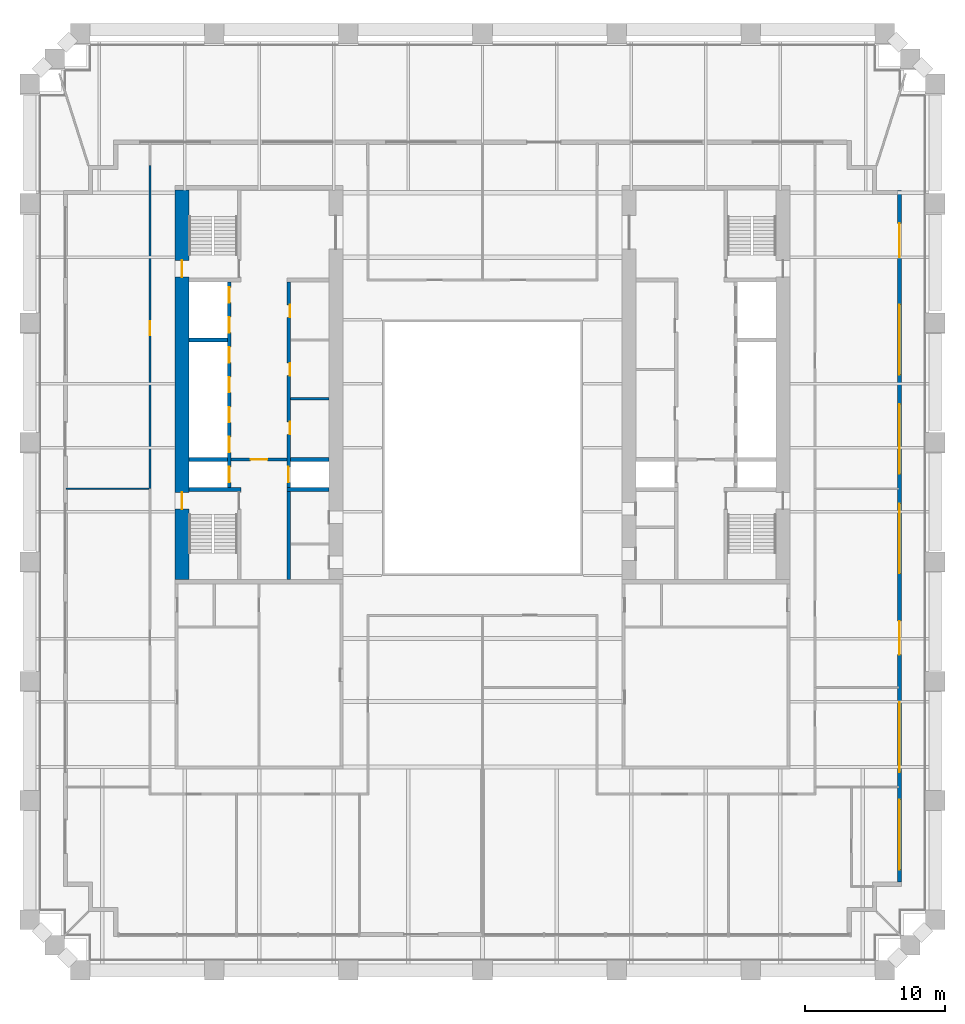
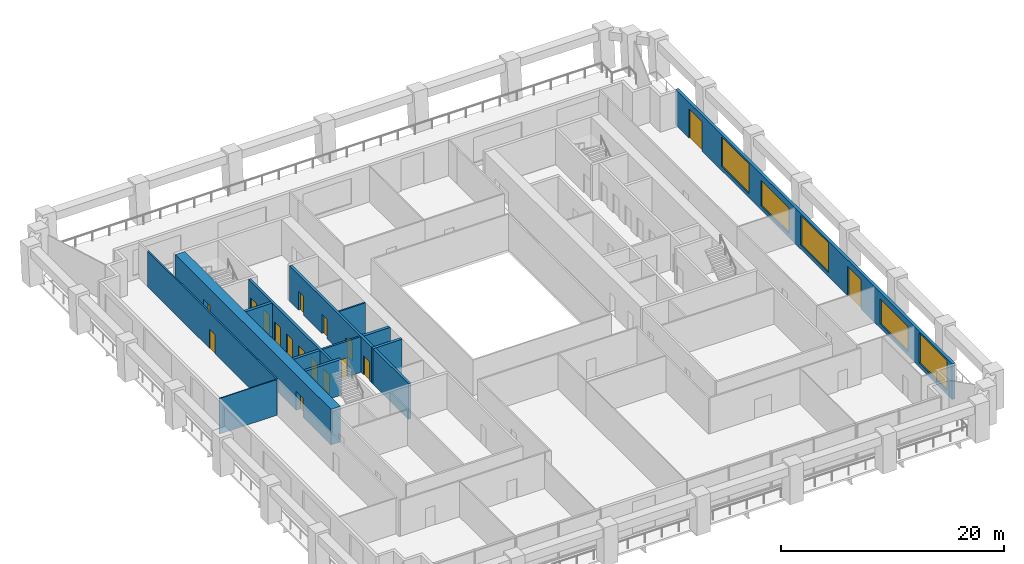
# One storey, part 7 of 11: 17 doors, 13 walls, 5 windows, 22 openings.
"""IFC4 building model written with IfcOpenShell, lengths in metres."""

from ifc_helpers import new_model, si_unit, direction, frame, frame_2d, origin, place, context, subcontext, project, spatial, rectangle, extrude, material, layer, layer_set, type_object, element, fill, save


model = new_model("IFC4")

# Units and contexts
model_context = context("Model", 3, precision=1e-05, world=origin(), true_north=direction((0.0, 1.0)))
body_context = subcontext(model_context, "Body", "Model", "MODEL_VIEW")
ifc_project = project(units=[si_unit("LENGTHUNIT", "METRE"), si_unit("AREAUNIT", "SQUARE_METRE"), si_unit("VOLUMEUNIT", "CUBIC_METRE"), si_unit("PLANEANGLEUNIT", "RADIAN"), si_unit("MASSUNIT", "GRAM", prefix="KILO")], contexts=[model_context])

# Site, building, storey
site_placement = place(None, origin())
site = spatial("IfcSite", under=ifc_project, at=site_placement, CompositionType="ELEMENT")
building_placement = place(site_placement, origin())
building = spatial("IfcBuilding", under=site, at=building_placement, Name="Ogive Exchange Tower", CompositionType="ELEMENT")
storey_placement = place(building_placement, frame((0.0, 0.0, 90.0)))
storey = spatial("IfcBuildingStorey", under=building, at=storey_placement, Name="L19", CompositionType="ELEMENT", Elevation=90.0)

# Wall
ifc_material_1 = material(Name="Gypsum board partition")
ifc_layer_1 = layer(ifc_material_1, 0.14990234375)
ifc_layer_set_1 = layer_set([ifc_layer_1], Name="Core room partition 150 gypsum")
wall_type_1 = type_object("IfcWallType", Name="Core room partition 150 gypsum", PredefinedType="PARTITIONING", material=ifc_layer_set_1)
wall_1_placement = place(storey_placement, frame((-13.75, 10.5, 0.0), z_axis=(0.0, 0.0, 1.0), x_axis=(1.0, 0.0, 0.0)))
element("IfcWall", 1, at=wall_1_placement, inside=storey, type_object=wall_type_1, Name="W row B bay partition 1-1", PredefinedType="PARTITIONING", context=body_context, shape_type="SweptSolid", body=[
    extrude(rectangle(XDim=2.75, YDim=0.14990234375, at=frame_2d((1.375, 0.0))), origin(), (0.0, 0.0, 1.0), 3.89990234375),
])

# Wall, opening, door
ifc_material_2 = material(Name="Fire partition EI 60 150")
ifc_layer_2 = layer(ifc_material_2, 0.14990234375)
ifc_layer_set_2 = layer_set([ifc_layer_2], Name="Fire partition EI 60 150")
wall_type_2 = type_object("IfcWallType", Name="Fire partition EI 60 150", PredefinedType="PARTITIONING", material=ifc_layer_set_2)
wall_2_placement = place(storey_placement, frame((-23.800048828125, 4.06005859375, 0.0), z_axis=(0.0, 0.0, 1.0), x_axis=(0.0, 1.0, 0.0)))
wall_2 = element("IfcWall", 2, at=wall_2_placement, inside=storey, type_object=wall_type_2, Name="L19-PWL-005", PredefinedType="PARTITIONING", context=body_context, shape_type="SweptSolid", body=[
    extrude(rectangle(XDim=23.139892578125, YDim=0.14990234375, at=frame_2d((11.56982421875, 0.0))), origin(), (0.0, 0.0, 1.0), 3.89990234375),
])
opening_1_placement = place(wall_2_placement, frame((10.989990234375, 0.0, 0.0)))
opening_1 = element("IfcOpeningElement", 3, at=opening_1_placement, cuts=wall_2, Name="Opening L19-I11", PredefinedType="OPENING", context=body_context, shape_type="SweptSolid", body=[
    extrude(rectangle(XDim=1.0, YDim=2.10009765625, at=frame_2d((0.5, 1.050048828125))), frame((0.0, 0.0849609375, 0.0), z_axis=(0.0, -1.0, 0.0), x_axis=(1.0, 0.0, 0.0)), (0.0, 0.0, 1.0), 0.169921875),
])
ifc_material_3 = material(Name="Fire door FD 30S 1000 x 2100")
door_type_1 = type_object("IfcDoorType", Name="Fire door FD 30S 1000 x 2100", OperationType="NOTDEFINED", PredefinedType="DOOR", material=ifc_material_3)
door_1_placement = place(opening_1_placement, origin())
door_1 = element("IfcDoor", 4, at=door_1_placement, inside=storey, type_object=door_type_1, Name="L19-IDR-011", ObjectType="DT3", OperationType="SINGLE_SWING_RIGHT", OverallHeight=2.10009765625, OverallWidth=1.0, PredefinedType="DOOR", context=body_context, shape_type="SweptSolid", body=[
    extrude(rectangle(XDim=1.0, YDim=2.10009765625, at=frame_2d((0.5, 1.050048828125))), frame((0.0, 0.02490234375, 0.0), z_axis=(0.0, -1.0, 0.0), x_axis=(1.0, 0.0, 0.0)), (0.0, 0.0, 1.0), 0.050048828125),
])
fill(opening_1, door_1)

# Wall, openings, windows, doors
ifc_material_4 = material(Name="Precast concrete C40/50", Category="concrete")
ifc_layer_3 = layer(ifc_material_4, 0.300048828125)
ifc_layer_set_3 = layer_set([ifc_layer_3], Name="Limestone-faced wall 300")
wall_type_3 = type_object("IfcWallType", Name="Limestone-faced wall 300", PredefinedType="STANDARD", material=ifc_layer_set_3)
wall_3_placement = place(storey_placement, frame((29.85009765625, -24.10009765625, 0.0), z_axis=(0.0, 0.0, 1.0), x_axis=(0.0, 1.0, 0.0)))
wall_3 = element("IfcWall", 5, at=wall_3_placement, inside=storey, type_object=wall_type_3, Name="External wall E2", PredefinedType="STANDARD", context=body_context, shape_type="SweptSolid", body=[
    extrude(rectangle(XDim=49.5, YDim=0.300048828125, at=frame_2d((24.75, 0.0))), origin(), (0.0, 0.0, 1.0), 3.89990234375),
])
opening_2_placement = place(wall_3_placement, frame((0.906982421875, 0.0, 0.449951171875)))
opening_2 = element("IfcOpeningElement", 6, at=opening_2_placement, cuts=wall_3, Name="Opening W2", PredefinedType="OPENING", context=body_context, shape_type="SweptSolid", body=[
    extrude(rectangle(XDim=5.0, YDim=3.25, at=frame_2d((2.5, 1.625))), frame((0.0, 0.159912109375, 0.0), z_axis=(0.0, -1.0, 0.0), x_axis=(1.0, 0.0, 0.0)), (0.0, 0.0, 1.0), 0.320068359375),
])
opening_3_placement = place(wall_3_placement, frame((7.871337890625, 0.0, 0.449951171875)))
opening_3 = element("IfcOpeningElement", 7, at=opening_3_placement, cuts=wall_3, Name="Opening W2G", PredefinedType="OPENING", context=body_context, shape_type="SweptSolid", body=[
    extrude(rectangle(XDim=5.0, YDim=2.72509765625, at=frame_2d((2.5, 1.362548828125))), frame((0.0, 0.159912109375, 0.0), z_axis=(0.0, -1.0, 0.0), x_axis=(1.0, 0.0, 0.0)), (0.0, 0.0, 1.0), 0.320068359375),
])
opening_4_placement = place(wall_3_placement, frame((16.28564453125, 0.0, 0.0)))
opening_4 = element("IfcOpeningElement", 8, at=opening_4_placement, cuts=wall_3, Name="Opening D1G", PredefinedType="OPENING", context=body_context, shape_type="SweptSolid", body=[
    extrude(rectangle(XDim=2.39990234375, YDim=3.22509765625, at=frame_2d((1.199951171875, 1.612548828125))), frame((0.0, 0.159912109375, 0.0), z_axis=(0.0, -1.0, 0.0), x_axis=(1.0, 0.0, 0.0)), (0.0, 0.0, 1.0), 0.320068359375),
])
opening_5_placement = place(wall_3_placement, frame((22.10009765625, 0.0, 0.449951171875)))
opening_5 = element("IfcOpeningElement", 9, at=opening_5_placement, cuts=wall_3, Name="Opening W2", PredefinedType="OPENING", context=body_context, shape_type="SweptSolid", body=[
    extrude(rectangle(XDim=5.0, YDim=3.25, at=frame_2d((2.5, 1.625))), frame((0.0, 0.159912109375, 0.0), z_axis=(0.0, -1.0, 0.0), x_axis=(1.0, 0.0, 0.0)), (0.0, 0.0, 1.0), 0.320068359375),
])
opening_6_placement = place(wall_3_placement, frame((29.214111328125, 0.0, 0.449951171875)))
opening_6 = element("IfcOpeningElement", 10, at=opening_6_placement, cuts=wall_3, Name="Opening W2E", PredefinedType="OPENING", context=body_context, shape_type="SweptSolid", body=[
    extrude(rectangle(XDim=5.0, YDim=2.77490234375, at=frame_2d((2.5, 1.387451171875))), frame((0.0, 0.159912109375, 0.0), z_axis=(0.0, -1.0, 0.0), x_axis=(1.0, 0.0, 0.0)), (0.0, 0.0, 1.0), 0.320068359375),
])
opening_7_placement = place(wall_3_placement, frame((36.32861328125, 0.0, 0.449951171875)))
opening_7 = element("IfcOpeningElement", 11, at=opening_7_placement, cuts=wall_3, Name="Opening W2", PredefinedType="OPENING", context=body_context, shape_type="SweptSolid", body=[
    extrude(rectangle(XDim=5.0, YDim=3.25, at=frame_2d((2.5, 1.625))), frame((0.0, 0.159912109375, 0.0), z_axis=(0.0, -1.0, 0.0), x_axis=(1.0, 0.0, 0.0)), (0.0, 0.0, 1.0), 0.320068359375),
])
opening_8_placement = place(wall_3_placement, frame((44.742919921875, 0.0, 0.0)))
opening_8 = element("IfcOpeningElement", 12, at=opening_8_placement, cuts=wall_3, Name="Opening D1G", PredefinedType="OPENING", context=body_context, shape_type="SweptSolid", body=[
    extrude(rectangle(XDim=2.39990234375, YDim=3.22509765625, at=frame_2d((1.199951171875, 1.612548828125))), frame((0.0, 0.159912109375, 0.0), z_axis=(0.0, -1.0, 0.0), x_axis=(1.0, 0.0, 0.0)), (0.0, 0.0, 1.0), 0.320068359375),
])
ifc_material_5 = material(Name="Clear glass in bronze frame", Category="glass")
window_type_1 = type_object("IfcWindowType", Name="Executive lancet window 5000 x 2725", PartitioningType="DOUBLE_PANEL_VERTICAL", PredefinedType="WINDOW", material=ifc_material_5)
window_1_placement = place(opening_3_placement, origin())
window_1 = element("IfcWindow", 13, at=window_1_placement, inside=storey, type_object=window_type_1, Name="Window E01", OverallHeight=2.72509765625, OverallWidth=5.0, PartitioningType="DOUBLE_PANEL_VERTICAL", PredefinedType="WINDOW", context=body_context, shape_type="SweptSolid", body=[
    extrude(rectangle(XDim=5.0, YDim=2.72509765625, at=frame_2d((2.5, 1.362548828125))), frame((0.0, 0.030029296875, 0.0), z_axis=(0.0, -1.0, 0.0), x_axis=(1.0, 0.0, 0.0)), (0.0, 0.0, 1.0), 0.06005859375),
])
fill(opening_3, window_1)
window_type_2 = type_object("IfcWindowType", Name="Executive lancet window 5000 x 2775", PartitioningType="DOUBLE_PANEL_VERTICAL", PredefinedType="WINDOW", material=ifc_material_5)
window_2_placement = place(opening_6_placement, origin())
window_2 = element("IfcWindow", 14, at=window_2_placement, inside=storey, type_object=window_type_2, Name="Window E04", OverallHeight=2.77490234375, OverallWidth=5.0, PartitioningType="DOUBLE_PANEL_VERTICAL", PredefinedType="WINDOW", context=body_context, shape_type="SweptSolid", body=[
    extrude(rectangle(XDim=5.0, YDim=2.77490234375, at=frame_2d((2.5, 1.387451171875))), frame((0.0, 0.030029296875, 0.0), z_axis=(0.0, -1.0, 0.0), x_axis=(1.0, 0.0, 0.0)), (0.0, 0.0, 1.0), 0.06005859375),
])
fill(opening_6, window_2)
window_type_3 = type_object("IfcWindowType", Name="Executive lancet window 5000 x 3250", PartitioningType="DOUBLE_PANEL_VERTICAL", PredefinedType="WINDOW", material=ifc_material_5)
window_3_placement = place(opening_2_placement, origin())
window_3 = element("IfcWindow", 15, at=window_3_placement, inside=storey, type_object=window_type_3, Name="Window E00", OverallHeight=3.25, OverallWidth=5.0, PartitioningType="DOUBLE_PANEL_VERTICAL", PredefinedType="WINDOW", context=body_context, shape_type="SweptSolid", body=[
    extrude(rectangle(XDim=5.0, YDim=3.25, at=frame_2d((2.5, 1.625))), frame((0.0, 0.030029296875, 0.0), z_axis=(0.0, -1.0, 0.0), x_axis=(1.0, 0.0, 0.0)), (0.0, 0.0, 1.0), 0.06005859375),
])
fill(opening_2, window_3)
window_4_placement = place(opening_5_placement, origin())
window_4 = element("IfcWindow", 16, at=window_4_placement, inside=storey, type_object=window_type_3, Name="Window E03", OverallHeight=3.25, OverallWidth=5.0, PartitioningType="DOUBLE_PANEL_VERTICAL", PredefinedType="WINDOW", context=body_context, shape_type="SweptSolid", body=[
    extrude(rectangle(XDim=5.0, YDim=3.25, at=frame_2d((2.5, 1.625))), frame((0.0, 0.030029296875, 0.0), z_axis=(0.0, -1.0, 0.0), x_axis=(1.0, 0.0, 0.0)), (0.0, 0.0, 1.0), 0.06005859375),
])
fill(opening_5, window_4)
window_5_placement = place(opening_7_placement, origin())
window_5 = element("IfcWindow", 17, at=window_5_placement, inside=storey, type_object=window_type_3, Name="Window E05", OverallHeight=3.25, OverallWidth=5.0, PartitioningType="DOUBLE_PANEL_VERTICAL", PredefinedType="WINDOW", context=body_context, shape_type="SweptSolid", body=[
    extrude(rectangle(XDim=5.0, YDim=3.25, at=frame_2d((2.5, 1.625))), frame((0.0, 0.030029296875, 0.0), z_axis=(0.0, -1.0, 0.0), x_axis=(1.0, 0.0, 0.0)), (0.0, 0.0, 1.0), 0.06005859375),
])
fill(opening_7, window_5)
door_type_2 = type_object("IfcDoorType", Name="Sliding loggia door 2400 x 3225", OperationType="DOUBLE_DOOR_SLIDING", PredefinedType="DOOR", material=ifc_material_5)
door_2_placement = place(opening_4_placement, origin())
door_2 = element("IfcDoor", 18, at=door_2_placement, inside=storey, type_object=door_type_2, Name="Loggia door E02", OperationType="DOUBLE_DOOR_SLIDING", OverallHeight=3.22509765625, OverallWidth=2.39990234375, PredefinedType="DOOR", context=body_context, shape_type="SweptSolid", body=[
    extrude(rectangle(XDim=2.39990234375, YDim=3.22509765625, at=frame_2d((1.199951171875, 1.612548828125))), frame((0.0, 0.02490234375, 0.0), z_axis=(0.0, -1.0, 0.0), x_axis=(1.0, 0.0, 0.0)), (0.0, 0.0, 1.0), 0.050048828125),
])
fill(opening_4, door_2)
door_3_placement = place(opening_8_placement, origin())
door_3 = element("IfcDoor", 19, at=door_3_placement, inside=storey, type_object=door_type_2, Name="Loggia door E06", OperationType="DOUBLE_DOOR_SLIDING", OverallHeight=3.22509765625, OverallWidth=2.39990234375, PredefinedType="DOOR", context=body_context, shape_type="SweptSolid", body=[
    extrude(rectangle(XDim=2.39990234375, YDim=3.22509765625, at=frame_2d((1.199951171875, 1.612548828125))), frame((0.0, 0.02490234375, 0.0), z_axis=(0.0, -1.0, 0.0), x_axis=(1.0, 0.0, 0.0)), (0.0, 0.0, 1.0), 0.050048828125),
])
fill(opening_8, door_3)

# Wall
ifc_material_6 = material(Name="Partition 100 gypsum")
ifc_layer_4 = layer(ifc_material_6, 0.10009765625)
ifc_layer_set_4 = layer_set([ifc_layer_4], Name="Partition 100 gypsum")
wall_type_4 = type_object("IfcWallType", Name="Partition 100 gypsum", PredefinedType="PARTITIONING", material=ifc_layer_set_4)
wall_4_placement = place(storey_placement, frame((-23.875, 4.06005859375, 0.0), z_axis=(0.0, 0.0, 1.0), x_axis=(-1.0, 0.0, 0.0)))
element("IfcWall", 20, at=wall_4_placement, inside=storey, type_object=wall_type_4, Name="L19-PWL-004", PredefinedType="PARTITIONING", context=body_context, shape_type="SweptSolid", body=[
    extrude(rectangle(XDim=5.925048828125, YDim=0.10009765625, at=frame_2d((2.96240234375, 0.0))), origin(), (0.0, 0.0, 1.0), 3.89990234375),
])

# Wall, openings, doors
ifc_material_7 = material(Name="Concrete C70/85", Category="concrete")
ifc_layer_5 = layer(ifc_material_7, 1.0)
ifc_layer_set_5 = layer_set([ifc_layer_5], Name="RC core wall 1000 C70/85")
wall_type_5 = type_object("IfcWallType", Name="RC core wall 1000 C70/85", PredefinedType="SHEAR", material=ifc_layer_set_5)
wall_5_placement = place(storey_placement, frame((-21.5, -2.449951171875, 0.0), z_axis=(0.0, 0.0, 1.0), x_axis=(0.0, 1.0, 0.0)))
wall_5 = element("IfcWall", 21, at=wall_5_placement, inside=storey, type_object=wall_type_5, Name="W outer wall", PredefinedType="SHEAR", context=body_context, shape_type="SweptSolid", body=[
    extrude(rectangle(XDim=27.89990234375, YDim=1.0, at=frame_2d((13.949951171875, 0.0))), origin(), (0.0, 0.0, 1.0), 3.89990234375),
])
opening_9_placement = place(wall_5_placement, frame((5.050048828125, 0.0, 0.0)))
opening_9 = element("IfcOpeningElement", 22, at=opening_9_placement, cuts=wall_5, Name="Opening L19-C15", PredefinedType="OPENING", context=body_context, shape_type="SweptSolid", body=[
    extrude(rectangle(XDim=1.199951171875, YDim=2.10009765625, at=frame_2d((0.60009765625, 1.050048828125))), frame((0.0, 0.510009765625, 0.0), z_axis=(0.0, -1.0, 0.0), x_axis=(1.0, 0.0, 0.0)), (0.0, 0.0, 1.0), 1.02001953125),
])
opening_10_placement = place(wall_5_placement, frame((21.64990234375, 0.0, 0.0)))
opening_10 = element("IfcOpeningElement", 23, at=opening_10_placement, cuts=wall_5, Name="Opening L19-C17", PredefinedType="OPENING", context=body_context, shape_type="SweptSolid", body=[
    extrude(rectangle(XDim=1.199951171875, YDim=2.10009765625, at=frame_2d((0.60009765625, 1.050048828125))), frame((0.0, 0.510009765625, 0.0), z_axis=(0.0, -1.0, 0.0), x_axis=(1.0, 0.0, 0.0)), (0.0, 0.0, 1.0), 1.02001953125),
])
ifc_material_8 = material(Name="Steel fire door", Category="steel")
door_type_3 = type_object("IfcDoorType", Name="Stair door FD90 1200 x 2100", OperationType="NOTDEFINED", PredefinedType="DOOR", material=ifc_material_8)
door_4_placement = place(opening_9_placement, frame((1.199951171875, 0.0, 0.0), z_axis=(0.0, 0.0, 1.0), x_axis=(-1.0, 0.0, 0.0)))
door_4 = element("IfcDoor", 24, at=door_4_placement, inside=storey, type_object=door_type_3, Name="Stair door", ObjectType="CD5", OperationType="SINGLE_SWING_RIGHT", OverallHeight=2.10009765625, OverallWidth=1.199951171875, PredefinedType="DOOR", context=body_context, shape_type="SweptSolid", body=[
    extrude(rectangle(XDim=1.199951171875, YDim=2.10009765625, at=frame_2d((0.60009765625, 1.050048828125))), frame((0.0, 0.02490234375, 0.0), z_axis=(0.0, -1.0, 0.0), x_axis=(1.0, 0.0, 0.0)), (0.0, 0.0, 1.0), 0.050048828125),
])
fill(opening_9, door_4)
door_5_placement = place(opening_10_placement, frame((1.199951171875, 0.0, 0.0), z_axis=(0.0, 0.0, 1.0), x_axis=(-1.0, 0.0, 0.0)))
door_5 = element("IfcDoor", 25, at=door_5_placement, inside=storey, type_object=door_type_3, Name="Stair door", ObjectType="CD5", OperationType="SINGLE_SWING_LEFT", OverallHeight=2.10009765625, OverallWidth=1.199951171875, PredefinedType="DOOR", context=body_context, shape_type="SweptSolid", body=[
    extrude(rectangle(XDim=1.199951171875, YDim=2.10009765625, at=frame_2d((0.60009765625, 1.050048828125))), frame((0.0, 0.02490234375, 0.0), z_axis=(0.0, -1.0, 0.0), x_axis=(1.0, 0.0, 0.0)), (0.0, 0.0, 1.0), 0.050048828125),
])
fill(opening_10, door_5)

# Wall, opening, door
ifc_layer_6 = layer(ifc_material_7, 0.199951171875)
ifc_layer_set_6 = layer_set([ifc_layer_6], Name="RC core wall 200 C70/85")
wall_type_6 = type_object("IfcWallType", Name="RC core wall 200 C70/85", PredefinedType="SHEAR", material=ifc_layer_set_6)
wall_6_placement = place(storey_placement, frame((-18.0, 6.142822265625, 0.0), z_axis=(0.0, 0.0, 1.0), x_axis=(1.0, 0.0, 0.0)))
wall_6 = element("IfcWall", 26, at=wall_6_placement, inside=storey, type_object=wall_type_6, Name="W firefighting lobby wall", PredefinedType="SHEAR", context=body_context, shape_type="SweptSolid", body=[
    extrude(rectangle(XDim=4.0, YDim=0.199951171875, at=frame_2d((2.0, 0.0))), origin(), (0.0, 0.0, 1.0), 3.89990234375),
])
opening_11_placement = place(wall_6_placement, frame((1.39990234375, 0.0, 0.0)))
opening_11 = element("IfcOpeningElement", 27, at=opening_11_placement, cuts=wall_6, Name="Opening L19-C12", PredefinedType="OPENING", context=body_context, shape_type="SweptSolid", body=[
    extrude(rectangle(XDim=1.199951171875, YDim=2.10009765625, at=frame_2d((0.60009765625, 1.050048828125))), frame((0.0, 0.10986328125, 0.0), z_axis=(0.0, -1.0, 0.0), x_axis=(1.0, 0.0, 0.0)), (0.0, 0.0, 1.0), 0.219970703125),
])
door_type_4 = type_object("IfcDoorType", Name="Firefighting lobby door FD60 1200 x 2100", OperationType="NOTDEFINED", PredefinedType="DOOR", material=ifc_material_8)
door_6_placement = place(opening_11_placement, frame((1.199951171875, 0.0, 0.0), z_axis=(0.0, 0.0, 1.0), x_axis=(-1.0, 0.0, 0.0)))
door_6 = element("IfcDoor", 28, at=door_6_placement, inside=storey, type_object=door_type_4, Name="Firefighting lobby door", ObjectType="CD3", OperationType="SINGLE_SWING_LEFT", OverallHeight=2.10009765625, OverallWidth=1.199951171875, PredefinedType="DOOR", context=body_context, shape_type="SweptSolid", body=[
    extrude(rectangle(XDim=1.199951171875, YDim=2.10009765625, at=frame_2d((0.60009765625, 1.050048828125))), frame((0.0, 0.02490234375, 0.0), z_axis=(0.0, -1.0, 0.0), x_axis=(1.0, 0.0, 0.0)), (0.0, 0.0, 1.0), 0.050048828125),
])
fill(opening_11, door_6)

# Wall, openings, doors
ifc_layer_7 = layer(ifc_material_7, 0.25)
ifc_layer_set_7 = layer_set([ifc_layer_7], Name="RC core wall 250 C70/85")
wall_type_7 = type_object("IfcWallType", Name="RC core wall 250 C70/85", PredefinedType="SHEAR", material=ifc_layer_set_7)
wall_7_placement = place(storey_placement, frame((-18.125, 4.14990234375, 0.0), z_axis=(0.0, 0.0, 1.0), x_axis=(0.0, 1.0, 0.0)))
wall_7 = element("IfcWall", 29, at=wall_7_placement, inside=storey, type_object=wall_type_7, Name="W row A front wall", PredefinedType="SHEAR", context=body_context, shape_type="SweptSolid", body=[
    extrude(rectangle(XDim=14.7001953125, YDim=0.25, at=frame_2d((7.35009765625, 0.0))), origin(), (0.0, 0.0, 1.0), 3.89990234375),
])
opening_12_placement = place(wall_7_placement, frame((0.371337890625, 0.0, 0.0)))
opening_12 = element("IfcOpeningElement", 30, at=opening_12_placement, cuts=wall_7, Name="Opening L19-C01", PredefinedType="OPENING", context=body_context, shape_type="SweptSolid", body=[
    extrude(rectangle(XDim=1.10009765625, YDim=2.10009765625, at=frame_2d((0.550048828125, 1.050048828125))), frame((0.0, 0.135009765625, 0.0), z_axis=(0.0, -1.0, 0.0), x_axis=(1.0, 0.0, 0.0)), (0.0, 0.0, 1.0), 0.27001953125),
])
opening_13_placement = place(wall_7_placement, frame((2.514404296875, 0.0, 0.0)))
opening_13 = element("IfcOpeningElement", 31, at=opening_13_placement, cuts=wall_7, Name="Opening L19-C02", PredefinedType="OPENING", context=body_context, shape_type="SweptSolid", body=[
    extrude(rectangle(XDim=1.10009765625, YDim=2.10009765625, at=frame_2d((0.550048828125, 1.050048828125))), frame((0.0, 0.135009765625, 0.0), z_axis=(0.0, -1.0, 0.0), x_axis=(1.0, 0.0, 0.0)), (0.0, 0.0, 1.0), 0.27001953125),
])
opening_14_placement = place(wall_7_placement, frame((4.656982421875, 0.0, 0.0)))
opening_14 = element("IfcOpeningElement", 32, at=opening_14_placement, cuts=wall_7, Name="Opening L19-C03", PredefinedType="OPENING", context=body_context, shape_type="SweptSolid", body=[
    extrude(rectangle(XDim=1.10009765625, YDim=2.10009765625, at=frame_2d((0.550048828125, 1.050048828125))), frame((0.0, 0.135009765625, 0.0), z_axis=(0.0, -1.0, 0.0), x_axis=(1.0, 0.0, 0.0)), (0.0, 0.0, 1.0), 0.27001953125),
])
opening_15_placement = place(wall_7_placement, frame((6.800048828125, 0.0, 0.0)))
opening_15 = element("IfcOpeningElement", 33, at=opening_15_placement, cuts=wall_7, Name="Opening L19-C04", PredefinedType="OPENING", context=body_context, shape_type="SweptSolid", body=[
    extrude(rectangle(XDim=1.10009765625, YDim=2.10009765625, at=frame_2d((0.550048828125, 1.050048828125))), frame((0.0, 0.135009765625, 0.0), z_axis=(0.0, -1.0, 0.0), x_axis=(1.0, 0.0, 0.0)), (0.0, 0.0, 1.0), 0.27001953125),
])
opening_16_placement = place(wall_7_placement, frame((8.94287109375, 0.0, 0.0)))
opening_16 = element("IfcOpeningElement", 34, at=opening_16_placement, cuts=wall_7, Name="Opening L19-C05", PredefinedType="OPENING", context=body_context, shape_type="SweptSolid", body=[
    extrude(rectangle(XDim=1.10009765625, YDim=2.10009765625, at=frame_2d((0.550048828125, 1.050048828125))), frame((0.0, 0.135009765625, 0.0), z_axis=(0.0, -1.0, 0.0), x_axis=(1.0, 0.0, 0.0)), (0.0, 0.0, 1.0), 0.27001953125),
])
opening_17_placement = place(wall_7_placement, frame((11.085693359375, 0.0, 0.0)))
opening_17 = element("IfcOpeningElement", 35, at=opening_17_placement, cuts=wall_7, Name="Opening L19-C06", PredefinedType="OPENING", context=body_context, shape_type="SweptSolid", body=[
    extrude(rectangle(XDim=1.10009765625, YDim=2.10009765625, at=frame_2d((0.550048828125, 1.050048828125))), frame((0.0, 0.135009765625, 0.0), z_axis=(0.0, -1.0, 0.0), x_axis=(1.0, 0.0, 0.0)), (0.0, 0.0, 1.0), 0.27001953125),
])
opening_18_placement = place(wall_7_placement, frame((13.228515625, 0.0, 0.0)))
opening_18 = element("IfcOpeningElement", 36, at=opening_18_placement, cuts=wall_7, Name="Opening L19-C07", PredefinedType="OPENING", context=body_context, shape_type="SweptSolid", body=[
    extrude(rectangle(XDim=1.10009765625, YDim=2.10009765625, at=frame_2d((0.550048828125, 1.050048828125))), frame((0.0, 0.135009765625, 0.0), z_axis=(0.0, -1.0, 0.0), x_axis=(1.0, 0.0, 0.0)), (0.0, 0.0, 1.0), 0.27001953125),
])
ifc_material_9 = material(Name="Stainless steel", Category="steel")
door_type_5 = type_object("IfcDoorType", Name="Lift landing door FD90 1100 x 2100", OperationType="SLIDING_TO_LEFT", PredefinedType="DOOR", material=ifc_material_9)
door_7_placement = place(opening_12_placement, origin())
door_7 = element("IfcDoor", 37, at=door_7_placement, inside=storey, type_object=door_type_5, Name="Lift landing door FF1", ObjectType="LD", OperationType="SLIDING_TO_LEFT", OverallHeight=2.10009765625, OverallWidth=1.10009765625, PredefinedType="DOOR", context=body_context, shape_type="SweptSolid", body=[
    extrude(rectangle(XDim=1.10009765625, YDim=2.10009765625, at=frame_2d((0.550048828125, 1.050048828125))), frame((0.0, 0.02490234375, 0.0), z_axis=(0.0, -1.0, 0.0), x_axis=(1.0, 0.0, 0.0)), (0.0, 0.0, 1.0), 0.050048828125),
])
fill(opening_12, door_7)
door_8_placement = place(opening_13_placement, origin())
door_8 = element("IfcDoor", 38, at=door_8_placement, inside=storey, type_object=door_type_5, Name="Lift landing door W-L1", ObjectType="LD", OperationType="SLIDING_TO_LEFT", OverallHeight=2.10009765625, OverallWidth=1.10009765625, PredefinedType="DOOR", context=body_context, shape_type="SweptSolid", body=[
    extrude(rectangle(XDim=1.10009765625, YDim=2.10009765625, at=frame_2d((0.550048828125, 1.050048828125))), frame((0.0, 0.02490234375, 0.0), z_axis=(0.0, -1.0, 0.0), x_axis=(1.0, 0.0, 0.0)), (0.0, 0.0, 1.0), 0.050048828125),
])
fill(opening_13, door_8)
door_9_placement = place(opening_14_placement, origin())
door_9 = element("IfcDoor", 39, at=door_9_placement, inside=storey, type_object=door_type_5, Name="Lift landing door W-L2", ObjectType="LD", OperationType="SLIDING_TO_LEFT", OverallHeight=2.10009765625, OverallWidth=1.10009765625, PredefinedType="DOOR", context=body_context, shape_type="SweptSolid", body=[
    extrude(rectangle(XDim=1.10009765625, YDim=2.10009765625, at=frame_2d((0.550048828125, 1.050048828125))), frame((0.0, 0.02490234375, 0.0), z_axis=(0.0, -1.0, 0.0), x_axis=(1.0, 0.0, 0.0)), (0.0, 0.0, 1.0), 0.050048828125),
])
fill(opening_14, door_9)
door_10_placement = place(opening_15_placement, origin())
door_10 = element("IfcDoor", 40, at=door_10_placement, inside=storey, type_object=door_type_5, Name="Lift landing door W-L3", ObjectType="LD", OperationType="SLIDING_TO_LEFT", OverallHeight=2.10009765625, OverallWidth=1.10009765625, PredefinedType="DOOR", context=body_context, shape_type="SweptSolid", body=[
    extrude(rectangle(XDim=1.10009765625, YDim=2.10009765625, at=frame_2d((0.550048828125, 1.050048828125))), frame((0.0, 0.02490234375, 0.0), z_axis=(0.0, -1.0, 0.0), x_axis=(1.0, 0.0, 0.0)), (0.0, 0.0, 1.0), 0.050048828125),
])
fill(opening_15, door_10)
door_11_placement = place(opening_16_placement, origin())
door_11 = element("IfcDoor", 41, at=door_11_placement, inside=storey, type_object=door_type_5, Name="Lift landing door W-L4", ObjectType="LD", OperationType="SLIDING_TO_LEFT", OverallHeight=2.10009765625, OverallWidth=1.10009765625, PredefinedType="DOOR", context=body_context, shape_type="SweptSolid", body=[
    extrude(rectangle(XDim=1.10009765625, YDim=2.10009765625, at=frame_2d((0.550048828125, 1.050048828125))), frame((0.0, 0.02490234375, 0.0), z_axis=(0.0, -1.0, 0.0), x_axis=(1.0, 0.0, 0.0)), (0.0, 0.0, 1.0), 0.050048828125),
])
fill(opening_16, door_11)
door_12_placement = place(opening_17_placement, origin())
door_12 = element("IfcDoor", 42, at=door_12_placement, inside=storey, type_object=door_type_5, Name="Lift landing door W-SH1", ObjectType="LD", OperationType="SLIDING_TO_LEFT", OverallHeight=2.10009765625, OverallWidth=1.10009765625, PredefinedType="DOOR", context=body_context, shape_type="SweptSolid", body=[
    extrude(rectangle(XDim=1.10009765625, YDim=2.10009765625, at=frame_2d((0.550048828125, 1.050048828125))), frame((0.0, 0.02490234375, 0.0), z_axis=(0.0, -1.0, 0.0), x_axis=(1.0, 0.0, 0.0)), (0.0, 0.0, 1.0), 0.050048828125),
])
fill(opening_17, door_12)
door_13_placement = place(opening_18_placement, origin())
door_13 = element("IfcDoor", 43, at=door_13_placement, inside=storey, type_object=door_type_5, Name="Lift landing door W-SH2", ObjectType="LD", OperationType="SLIDING_TO_LEFT", OverallHeight=2.10009765625, OverallWidth=1.10009765625, PredefinedType="DOOR", context=body_context, shape_type="SweptSolid", body=[
    extrude(rectangle(XDim=1.10009765625, YDim=2.10009765625, at=frame_2d((0.550048828125, 1.050048828125))), frame((0.0, 0.02490234375, 0.0), z_axis=(0.0, -1.0, 0.0), x_axis=(1.0, 0.0, 0.0)), (0.0, 0.0, 1.0), 0.050048828125),
])
fill(opening_18, door_13)

wall_8_placement = place(storey_placement, frame((-13.875, -2.449951171875, 0.0), z_axis=(0.0, 0.0, 1.0), x_axis=(0.0, 1.0, 0.0)))
wall_8 = element("IfcWall", 44, at=wall_8_placement, inside=storey, type_object=wall_type_7, Name="W row B front wall", PredefinedType="SHEAR", context=body_context, shape_type="SweptSolid", body=[
    extrude(rectangle(XDim=21.300048828125, YDim=0.25, at=frame_2d((10.64990234375, 0.0))), origin(), (0.0, 0.0, 1.0), 3.89990234375),
])
opening_19_placement = place(wall_8_placement, frame((10.396484375, 0.0, 0.0)))
opening_19 = element("IfcOpeningElement", 45, at=opening_19_placement, cuts=wall_8, Name="Opening L19-C08", PredefinedType="OPENING", context=body_context, shape_type="SweptSolid", body=[
    extrude(rectangle(XDim=0.89990234375, YDim=2.10009765625, at=frame_2d((0.449951171875, 1.050048828125))), frame((0.0, 0.135009765625, 0.0), z_axis=(0.0, -1.0, 0.0), x_axis=(1.0, 0.0, 0.0)), (0.0, 0.0, 1.0), 0.27001953125),
])
opening_20_placement = place(wall_8_placement, frame((14.60009765625, 0.0, 0.0)))
opening_20 = element("IfcOpeningElement", 46, at=opening_20_placement, cuts=wall_8, Name="Opening L19-C09", PredefinedType="OPENING", context=body_context, shape_type="SweptSolid", body=[
    extrude(rectangle(XDim=0.89990234375, YDim=2.10009765625, at=frame_2d((0.449951171875, 1.050048828125))), frame((0.0, 0.135009765625, 0.0), z_axis=(0.0, -1.0, 0.0), x_axis=(1.0, 0.0, 0.0)), (0.0, 0.0, 1.0), 0.27001953125),
])
opening_21_placement = place(wall_8_placement, frame((18.77490234375, 0.0, 0.0)))
opening_21 = element("IfcOpeningElement", 47, at=opening_21_placement, cuts=wall_8, Name="Opening L19-C10", PredefinedType="OPENING", context=body_context, shape_type="SweptSolid", body=[
    extrude(rectangle(XDim=0.89990234375, YDim=2.10009765625, at=frame_2d((0.449951171875, 1.050048828125))), frame((0.0, 0.135009765625, 0.0), z_axis=(0.0, -1.0, 0.0), x_axis=(1.0, 0.0, 0.0)), (0.0, 0.0, 1.0), 0.27001953125),
])
opening_22_placement = place(wall_8_placement, frame((6.971435546875, 0.0, 0.0)))
opening_22 = element("IfcOpeningElement", 48, at=opening_22_placement, cuts=wall_8, Name="Opening L19-C11", PredefinedType="OPENING", context=body_context, shape_type="SweptSolid", body=[
    extrude(rectangle(XDim=1.10009765625, YDim=2.10009765625, at=frame_2d((0.550048828125, 1.050048828125))), frame((0.0, 0.135009765625, 0.0), z_axis=(0.0, -1.0, 0.0), x_axis=(1.0, 0.0, 0.0)), (0.0, 0.0, 1.0), 0.27001953125),
])
ifc_material_10 = material(Name="Timber fire door", Category="wood")
door_type_6 = type_object("IfcDoorType", Name="Core room door FD30S 900 x 2100", OperationType="NOTDEFINED", PredefinedType="DOOR", material=ifc_material_10)
door_14_placement = place(opening_19_placement, frame((0.89990234375, -0.2001953125, 0.0), z_axis=(0.0, 0.0, 1.0), x_axis=(-1.0, 0.0, 0.0)))
door_14 = element("IfcDoor", 49, at=door_14_placement, inside=storey, type_object=door_type_6, Name="Core room door", ObjectType="CD6", OperationType="SINGLE_SWING_RIGHT", OverallHeight=2.10009765625, OverallWidth=0.89990234375, PredefinedType="DOOR", context=body_context, shape_type="SweptSolid", body=[
    extrude(rectangle(XDim=0.89990234375, YDim=2.10009765625, at=frame_2d((0.449951171875, 1.050048828125))), frame((0.0, -0.0751953125, 0.0), z_axis=(0.0, -1.0, 0.0), x_axis=(1.0, 0.0, 0.0)), (0.0, 0.0, 1.0), 0.050048828125),
])
fill(opening_19, door_14)
door_15_placement = place(opening_22_placement, origin())
door_15 = element("IfcDoor", 50, at=door_15_placement, inside=storey, type_object=door_type_5, Name="Lift landing door SV1", ObjectType="LD", OperationType="SLIDING_TO_LEFT", OverallHeight=2.10009765625, OverallWidth=1.10009765625, PredefinedType="DOOR", context=body_context, shape_type="SweptSolid", body=[
    extrude(rectangle(XDim=1.10009765625, YDim=2.10009765625, at=frame_2d((0.550048828125, 1.050048828125))), frame((0.0, 0.02490234375, 0.0), z_axis=(0.0, -1.0, 0.0), x_axis=(1.0, 0.0, 0.0)), (0.0, 0.0, 1.0), 0.050048828125),
])
fill(opening_22, door_15)
door_type_7 = type_object("IfcDoorType", Name="Riser door FD60 900 x 2100", OperationType="NOTDEFINED", PredefinedType="DOOR", material=ifc_material_8)
door_16_placement = place(opening_20_placement, frame((0.89990234375, -0.2001953125, 0.0), z_axis=(0.0, 0.0, 1.0), x_axis=(-1.0, 0.0, 0.0)))
door_16 = element("IfcDoor", 51, at=door_16_placement, inside=storey, type_object=door_type_7, Name="Riser door", ObjectType="CD2", OperationType="SINGLE_SWING_RIGHT", OverallHeight=2.10009765625, OverallWidth=0.89990234375, PredefinedType="DOOR", context=body_context, shape_type="SweptSolid", body=[
    extrude(rectangle(XDim=0.89990234375, YDim=2.10009765625, at=frame_2d((0.449951171875, 1.050048828125))), frame((0.0, -0.0751953125, 0.0), z_axis=(0.0, -1.0, 0.0), x_axis=(1.0, 0.0, 0.0)), (0.0, 0.0, 1.0), 0.050048828125),
])
fill(opening_20, door_16)
door_17_placement = place(opening_21_placement, frame((0.89990234375, -0.2001953125, 0.0), z_axis=(0.0, 0.0, 1.0), x_axis=(-1.0, 0.0, 0.0)))
door_17 = element("IfcDoor", 52, at=door_17_placement, inside=storey, type_object=door_type_7, Name="Riser door", ObjectType="CD2", OperationType="SINGLE_SWING_LEFT", OverallHeight=2.10009765625, OverallWidth=0.89990234375, PredefinedType="DOOR", context=body_context, shape_type="SweptSolid", body=[
    extrude(rectangle(XDim=0.89990234375, YDim=2.10009765625, at=frame_2d((0.449951171875, 1.050048828125))), frame((0.0, -0.0751953125, 0.0), z_axis=(0.0, -1.0, 0.0), x_axis=(1.0, 0.0, 0.0)), (0.0, 0.0, 1.0), 0.050048828125),
])
fill(opening_21, door_17)

# Walls
ifc_layer_8 = layer(ifc_material_7, 0.300048828125)
ifc_layer_set_8 = layer_set([ifc_layer_8], Name="RC core wall 300 C70/85")
wall_type_8 = type_object("IfcWallType", Name="RC core wall 300 C70/85", PredefinedType="SHEAR", material=ifc_layer_set_8)
wall_9_placement = place(storey_placement, frame((-21.0, 4.0, 0.0), z_axis=(0.0, 0.0, 1.0), x_axis=(1.0, 0.0, 0.0)))
element("IfcWall", 53, at=wall_9_placement, inside=storey, type_object=wall_type_8, Name="W stair S north wall", PredefinedType="SHEAR", context=body_context, shape_type="SweptSolid", body=[
    extrude(rectangle(XDim=3.699951171875, YDim=0.300048828125, at=frame_2d((1.85009765625, 0.0))), origin(), (0.0, 0.0, 1.0), 3.89990234375),
])
for number, where, z_axis, x_axis, name in (
    (54, (-21.0, 6.142822265625, 0.0), (0.0, 0.0, 1.0), (1.0, 0.0, 0.0), "W row A divider 1"),
    (55, (-21.0, 14.71435546875, 0.0), (0.0, 0.0, 1.0), (1.0, 0.0, 0.0), "W row A divider 5"),
):
    element("IfcWall", number, at=place(storey_placement, frame(where, z_axis=z_axis, x_axis=x_axis)), inside=storey, type_object=wall_type_8, Name=name, PredefinedType="SHEAR", context=body_context, shape_type="SweptSolid", body=[
        extrude(rectangle(XDim=2.75, YDim=0.300048828125, at=frame_2d((1.375, 0.0))), origin(), (0.0, 0.0, 1.0), 3.89990234375),
    ])
wall_10_placement = place(storey_placement, frame((-14.0, 4.0, 0.0), z_axis=(0.0, 0.0, 1.0), x_axis=(1.0, 0.0, 0.0)))
element("IfcWall", 56, at=wall_10_placement, inside=storey, type_object=wall_type_8, Name="W row B divider 0", PredefinedType="SHEAR", context=body_context, shape_type="SweptSolid", body=[
    extrude(rectangle(XDim=3.0, YDim=0.300048828125, at=frame_2d((1.5, 0.0))), origin(), (0.0, 0.0, 1.0), 3.89990234375),
])
wall_11_placement = place(storey_placement, frame((-13.75, 6.142822265625, 0.0), z_axis=(0.0, 0.0, 1.0), x_axis=(1.0, 0.0, 0.0)))
element("IfcWall", 57, at=wall_11_placement, inside=storey, type_object=wall_type_8, Name="W row B divider 1", PredefinedType="SHEAR", context=body_context, shape_type="SweptSolid", body=[
    extrude(rectangle(XDim=2.75, YDim=0.300048828125, at=frame_2d((1.375, 0.0))), origin(), (0.0, 0.0, 1.0), 3.89990234375),
])

save(model, "model.ifc")
